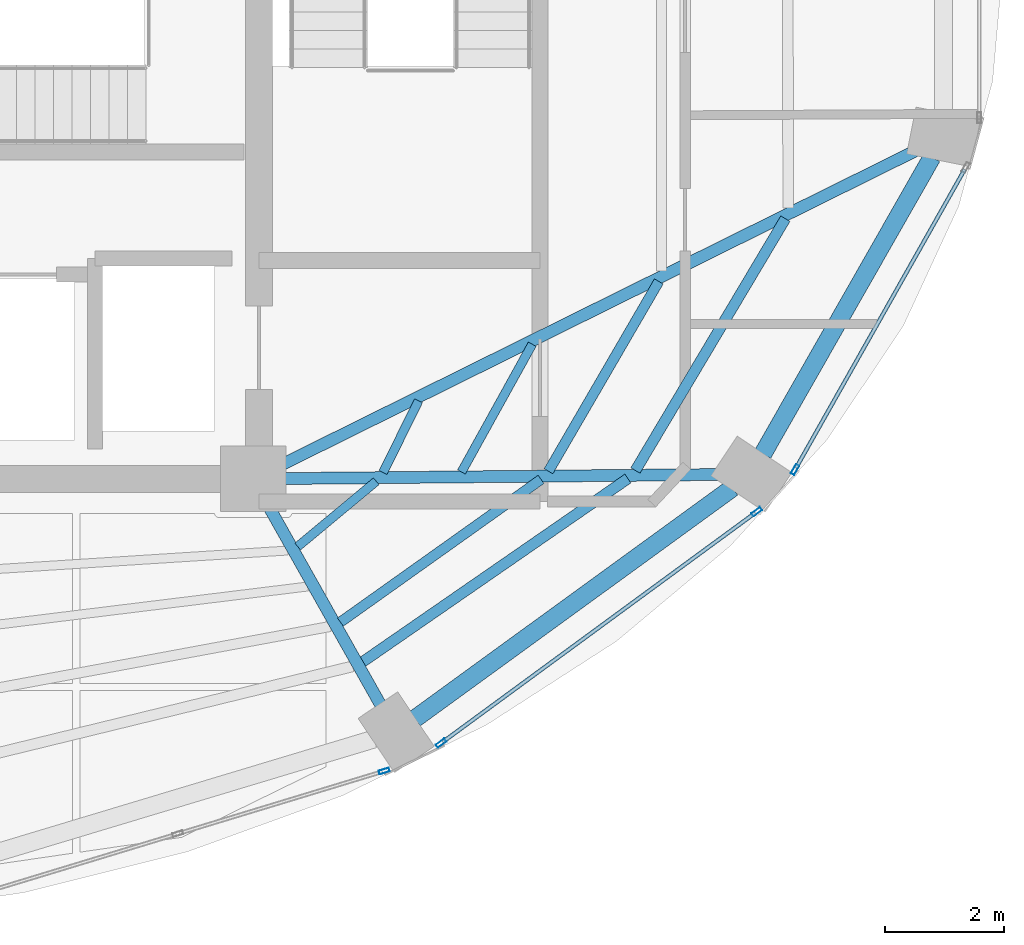
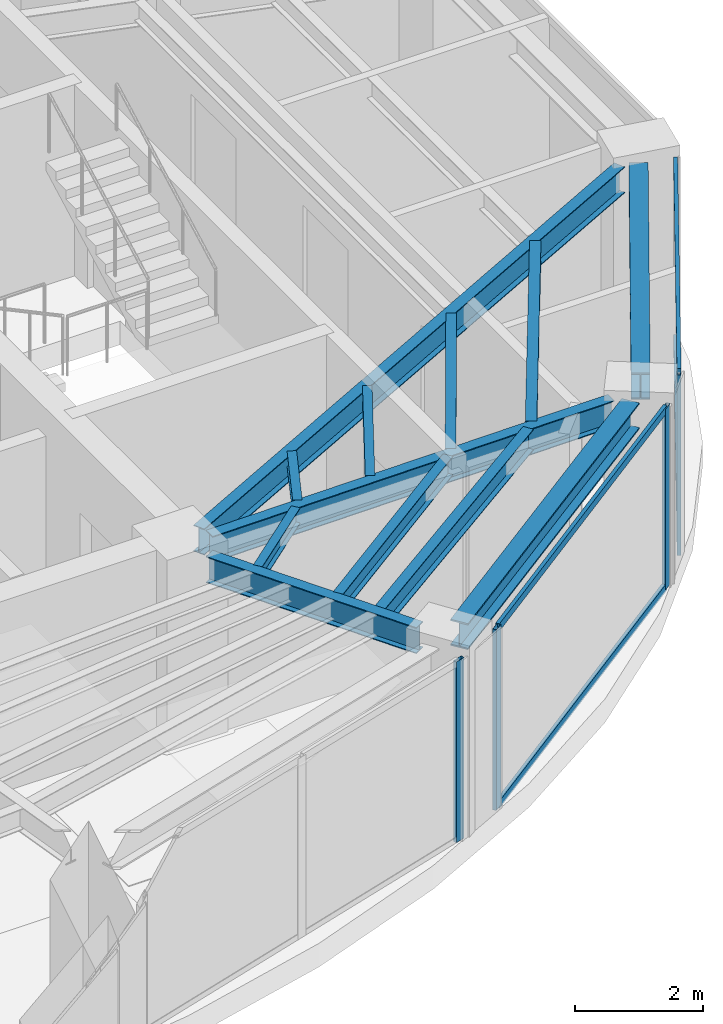
# One storey, part 4 of 15: 12 beams, 8 members, 3 elements without a shape of their own.
"""IFC4 building model written with IfcOpenShell, lengths in metres."""

import ifcopenshell
import ifcopenshell.guid

model = None  # the IFC model being written
_history = None  # IfcOwnerHistory: only IFC2X3 demands one
_inside = {}  # id of a spatial element -> (the spatial element, [elements in it])
_under = {}  # id of a project, library or spatial element -> (it, [spatial elements below it])
_declared = {}  # id of a project -> (the project, [libraries it declares])
_typed = {}  # id of a type object -> (the type object, [elements of that type])
_made_of = {}  # id of a material, layer set ... -> (it, [elements and type objects made of it])


def new_model(schema):
    """Start an empty IFC model of exactly this schema.

    Asked for "IFC4X3", IfcOpenShell would pick the latest addendum, in which some entities
    have other attributes; the version numbers below select the first issue.
    IFC2X3 requires an IfcOwnerHistory on every rooted entity: one is made here for all.
    """
    global model, _history
    if schema == "IFC4X3":
        model = ifcopenshell.file(schema_version=(4, 3, 0, 0))
    else:
        model = ifcopenshell.file(schema=schema)
    _inside.clear()
    _under.clear()
    _declared.clear()
    _typed.clear()
    _made_of.clear()
    _history = None
    if model.schema == "IFC2X3":
        org = make("IfcOrganization", Name="unknown")
        user = make(
            "IfcPersonAndOrganization",
            ThePerson=make("IfcPerson", FamilyName="unknown"),
            TheOrganization=org,
        )
        app = make(
            "IfcApplication",
            ApplicationDeveloper=org,
            Version="unknown",
            ApplicationFullName="unknown",
            ApplicationIdentifier="unknown",
        )
        _history = make(
            "IfcOwnerHistory",
            OwningUser=user,
            OwningApplication=app,
            ChangeAction="ADDED",
            CreationDate=0,
        )
    return model


def make(cls, **values):
    """One entity of the class cls with the attributes given. An attribute that is None is left unset."""
    return model.create_entity(
        cls, **{name: value for name, value in values.items() if value is not None}
    )


def rooted(cls, **values):
    """An entity with a GlobalId (a new one), such as an element, a storey or a relation."""
    return make(cls, GlobalId=ifcopenshell.guid.new(), OwnerHistory=_history, **values)


def si_unit(unit_type, name, prefix=None):
    """IfcSIUnit, for example si_unit("LENGTHUNIT", "METRE", prefix="MILLI")."""
    return make("IfcSIUnit", UnitType=unit_type, Prefix=prefix, Name=name)


def assignment(units):
    """IfcUnitAssignment: the units of a project."""
    return None if units is None else make("IfcUnitAssignment", Units=units)


def point(xyz):
    """IfcCartesianPoint."""
    return None if xyz is None else make("IfcCartesianPoint", Coordinates=xyz)


def direction(xyz):
    """IfcDirection."""
    return None if xyz is None else make("IfcDirection", DirectionRatios=xyz)


def frame(location, z_axis=None, x_axis=None):
    """IfcAxis2Placement3D, a coordinate frame: its origin and axes. An axis left out is left unset."""
    return make(
        "IfcAxis2Placement3D",
        Location=point(location),
        Axis=direction(z_axis),
        RefDirection=direction(x_axis),
    )


def frame_2d(location, x_axis=None):
    """IfcAxis2Placement2D, a coordinate frame in the plane: its origin and x axis."""
    return make(
        "IfcAxis2Placement2D", Location=point(location), RefDirection=direction(x_axis)
    )


def origin():
    """The frame at (0, 0, 0) with its axes left unset."""
    return frame((0.0, 0.0, 0.0))


def origin_2d():
    """The frame at (0, 0) in the plane with its x axis left unset."""
    return frame_2d((0.0, 0.0))


def place(relative_to, where):
    """IfcLocalPlacement: puts the frame where relative to a parent placement (None: the world)."""
    return make(
        "IfcLocalPlacement", PlacementRelTo=relative_to, RelativePlacement=where
    )


def context(
    kind, dimensions, precision=None, world=None, true_north=None, identifier=None
):
    """IfcGeometricRepresentationContext, for example the 3D "Model" context."""
    return make(
        "IfcGeometricRepresentationContext",
        ContextIdentifier=identifier,
        ContextType=kind,
        CoordinateSpaceDimension=dimensions,
        Precision=precision,
        WorldCoordinateSystem=world,
        TrueNorth=true_north,
    )


def subcontext(parent, identifier, kind, view, scale=None):
    """IfcGeometricRepresentationSubContext, for example "Body" below "Model"."""
    return make(
        "IfcGeometricRepresentationSubContext",
        ContextIdentifier=identifier,
        ContextType=kind,
        ParentContext=parent,
        TargetScale=scale,
        TargetView=view,
    )


def project(units=None, contexts=None):
    """IfcProject with its units and contexts."""
    return rooted(
        "IfcProject",
        Name="project",
        RepresentationContexts=contexts,
        UnitsInContext=assignment(units),
    )


def spatial(cls, under=None, at=None, **own):
    """A site, building, storey or space (cls), placed at a placement, below another one or the project."""
    s = rooted(cls, ObjectPlacement=at, **own)
    if under is not None:
        _under.setdefault(under.id(), (under, []))[1].append(s)
    return s


def profile(cls, at=None, kind="AREA", **sizes):
    """A parametric profile (cls). Its sizes go by their IFC names, for example OverallWidth=200.0."""
    return make(cls, ProfileType=kind, Position=at, **sizes)


def hollow_rectangle(**sizes):
    """IfcRectangleHollowProfileDef."""
    return profile("IfcRectangleHollowProfileDef", **sizes)


def i_section(**sizes):
    """IfcIShapeProfileDef."""
    return profile("IfcIShapeProfileDef", **sizes)


def extrude(swept, where, along, depth):
    """IfcExtrudedAreaSolid: the profile swept, set in the frame where, extruded along a direction by depth."""
    return make(
        "IfcExtrudedAreaSolid",
        SweptArea=swept,
        Position=where,
        ExtrudedDirection=direction(along),
        Depth=depth,
    )


def shape(context_of_items, identifier, shape_type, items):
    """IfcShapeRepresentation: the items that make up one representation, for example the "Body"."""
    return make(
        "IfcShapeRepresentation",
        ContextOfItems=context_of_items,
        RepresentationIdentifier=identifier,
        RepresentationType=shape_type,
        Items=items,
    )


def material(Name=None, Category=None):
    """IfcMaterial."""
    return make("IfcMaterial", Name=Name, Category=Category)


def layer(
    of_material, thickness, ventilated=None, Name=None, Category=None, Priority=None
):
    """IfcMaterialLayer: one layer of a wall or slab, of a material (None: an air gap)."""
    return make(
        "IfcMaterialLayer",
        Material=of_material,
        LayerThickness=thickness,
        IsVentilated=ventilated,
        Name=Name,
        Category=Category,
        Priority=Priority,
    )


def layer_set(layers, Name=None):
    """IfcMaterialLayerSet."""
    return make("IfcMaterialLayerSet", MaterialLayers=layers, LayerSetName=Name)


def material_profile(
    of_material, cross_section, Name=None, Category=None, Priority=None
):
    """IfcMaterialProfile: a cross section and its material."""
    return make(
        "IfcMaterialProfile",
        Name=Name,
        Material=of_material,
        Profile=cross_section,
        Priority=Priority,
        Category=Category,
    )


def profile_set(profiles, Name=None, composite=None):
    """IfcMaterialProfileSet."""
    return make(
        "IfcMaterialProfileSet",
        Name=Name,
        MaterialProfiles=profiles,
        CompositeProfile=composite,
    )


def made_of(thing, what):
    """Note that an element or type object is made of a material, layer set ...; save() writes the relation."""
    if what is not None:
        _made_of.setdefault(what.id(), (what, []))[1].append(thing)
    return thing


def type_object(cls, material=None, **own):
    """A type object (cls), such as IfcWallType, which elements share."""
    return made_of(rooted(cls, **own), material)


def element(
    cls,
    number,
    at=None,
    inside=None,
    cuts=None,
    type_object=None,
    material=None,
    context=None,
    identifier="Body",
    shape_type=None,
    held_by="IfcProductDefinitionShape",
    body=None,
    shapes=None,
    **own,
):
    """One element of the class cls, such as IfcWall. Its Tag is "e" and its number.

    at: its placement. inside: the storey or other place that contains it. cuts: it is an
    opening in that element (IfcRelVoidsElement). A single representation is given by context,
    identifier, shape_type and body (its items); several are given by shapes. held_by: the class
    of the entity that holds the representations. save() writes the other relations.
    """
    e = rooted(cls, Tag="e%d" % number, ObjectPlacement=at, **own)
    if body is not None:
        shapes = [shape(context, identifier, shape_type, body)]
    if shapes is not None:
        e.Representation = make(held_by, Representations=shapes)
    if inside is not None:
        _inside.setdefault(inside.id(), (inside, []))[1].append(e)
    if cuts is not None:
        rooted(
            "IfcRelVoidsElement", RelatingBuildingElement=cuts, RelatedOpeningElement=e
        )
    if type_object is not None:
        _typed.setdefault(type_object.id(), (type_object, []))[1].append(e)
    return made_of(e, material)


def aggregate(whole, parts):
    """IfcRelAggregates: a whole, such as a stair, and the parts it consists of."""
    return rooted("IfcRelAggregates", RelatingObject=whole, RelatedObjects=parts)


def save(model, path):
    """Write the relations noted so far, then the file.

    IfcRelAggregates (storeys below a building ...), IfcRelContainedInSpatialStructure (elements
    in a storey), IfcRelDefinesByType, IfcRelAssociatesMaterial and IfcRelDeclares: one each for
    every whole, place, type object, material and project.
    """
    for whole, parts in _under.values():
        aggregate(whole, parts)
    for where, things in _inside.values():
        rooted(
            "IfcRelContainedInSpatialStructure",
            RelatedElements=things,
            RelatingStructure=where,
        )
    for kind, things in _typed.values():
        rooted("IfcRelDefinesByType", RelatedObjects=things, RelatingType=kind)
    for what, things in _made_of.values():
        rooted("IfcRelAssociatesMaterial", RelatedObjects=things, RelatingMaterial=what)
    for by, libraries in _declared.values():
        rooted("IfcRelDeclares", RelatingContext=by, RelatedDefinitions=libraries)
    model.write(path)


model = new_model("IFC4")

# Units and contexts
model_context = context("Model", 3, precision=1e-05, world=origin(), true_north=direction((0.0, 1.0)))
body_context = subcontext(model_context, "Body", "Model", "MODEL_VIEW")
ifc_project = project(units=[si_unit("LENGTHUNIT", "METRE"), si_unit("AREAUNIT", "SQUARE_METRE"), si_unit("VOLUMEUNIT", "CUBIC_METRE"), si_unit("PLANEANGLEUNIT", "RADIAN"), si_unit("MASSUNIT", "GRAM", prefix="KILO")], contexts=[model_context])

# Site, building, storey
site_placement = place(None, origin())
site = spatial("IfcSite", under=ifc_project, at=site_placement, CompositionType="ELEMENT")
building_placement = place(site_placement, origin())
building = spatial("IfcBuilding", under=site, at=building_placement, Name="Lazwardi Medical Tower", CompositionType="ELEMENT")
storey_placement = place(building_placement, frame((0.0, 0.0, 269.615966796875)))
storey = spatial("IfcBuildingStorey", under=building, at=storey_placement, Name="L70", CompositionType="ELEMENT", Elevation=269.615966796875)

# Beams
ifc_material_1 = material(Name="Steel S355", Category="steel")
ifc_material_profile_1 = material_profile(ifc_material_1, i_section(OverallWidth=0.300048828125, OverallDepth=0.5, WebThickness=0.014404296875, FlangeThickness=0.028076171875, at=origin_2d()), Name="HEB 500")
ifc_profile_set_1 = profile_set([ifc_material_profile_1], Name="Steel S355")
beam_type_1 = type_object("IfcBeamType", Name="BM-RB-Z4", PredefinedType="BEAM", material=ifc_profile_set_1)
beam_1_placement = place(storey_placement, frame((48.31591796875, 16.375244140625, 3.197998046875), z_axis=(0.808889916254, 0.587960120571, 0.0), x_axis=(-0.587960120571, 0.808889916254, 0.0)))
element("IfcBeam", 1, at=beam_1_placement, inside=storey, type_object=beam_type_1, Name="Ring beam RB-05 B02 L70", PredefinedType="BEAM", context=body_context, shape_type="SweptSolid", body=[
    extrude(i_section(OverallWidth=0.300048828125, OverallDepth=0.5, WebThickness=0.014404296875, FlangeThickness=0.028076171875, at=origin_2d()), origin(), (0.0, 0.0, 1.0), 6.587158203125),
])
beam_2_placement = place(storey_placement, frame((54.15283203125, 20.81640625, 3.197998046875), z_axis=(0.495125273299, 0.868821594886, 0.0), x_axis=(-0.868821594886, 0.495125273299, 0.0)))
element("IfcBeam", 2, at=beam_2_placement, inside=storey, type_object=beam_type_1, Name="Ring beam RB-05 B03 L70", PredefinedType="BEAM", context=body_context, shape_type="SweptSolid", body=[
    extrude(i_section(OverallWidth=0.300048828125, OverallDepth=0.5, WebThickness=0.014404296875, FlangeThickness=0.028076171875, at=origin_2d()), origin(), (0.0, 0.0, 1.0), 5.734130859375),
])
ifc_material_profile_2 = material_profile(ifc_material_1, i_section(OverallWidth=0.199951171875, OverallDepth=0.5, WebThickness=0.01025390625, FlangeThickness=0.01611328125, at=origin_2d()), Name="IPE 500")
ifc_profile_set_2 = profile_set([ifc_material_profile_2], Name="Steel S355")
beam_type_2 = type_object("IfcBeamType", Name="BM-RG-W3", PredefinedType="BEAM", material=ifc_profile_set_2)
beam_3_placement = place(storey_placement, frame((47.7373046875, 16.61181640625, 3.197998046875), z_axis=(-0.491403349237, 0.870932114667, 0.0), x_axis=(-0.870932114667, -0.491403349237, 0.0)))
element("IfcBeam", 3, at=beam_3_placement, inside=storey, type_object=beam_type_2, Name="Radial girder RG-04 R02 L70", PredefinedType="BEAM", context=body_context, shape_type="SweptSolid", body=[
    extrude(i_section(OverallWidth=0.199951171875, OverallDepth=0.5, WebThickness=0.01025390625, FlangeThickness=0.01611328125, at=origin_2d()), origin(), (0.0, 0.0, 1.0), 3.814697265625),
])
beam_4_placement = place(storey_placement, frame((53.4248046875, 20.472412109375, 3.197998046875), z_axis=(-0.999957282107, -0.009243049327, 0.0), x_axis=(0.009243049327, -0.999957282107, 0.0)))
element("IfcBeam", 4, at=beam_4_placement, inside=storey, type_object=beam_type_2, Name="Radial girder RG-04 R03 L70", PredefinedType="BEAM", context=body_context, shape_type="SweptSolid", body=[
    extrude(i_section(OverallWidth=0.199951171875, OverallDepth=0.5, WebThickness=0.01025390625, FlangeThickness=0.01611328125, at=origin_2d()), origin(), (0.0, 0.0, 1.0), 7.2900390625),
])
beam_5_placement = place(storey_placement, frame((56.70556640625, 25.899658203125, 3.197998046875), z_axis=(-0.896137723356, -0.443776048, 0.0), x_axis=(0.443776048, -0.896137723356, 0.0)))
element("IfcBeam", 5, at=beam_5_placement, inside=storey, type_object=beam_type_2, Name="Radial girder RG-04 R04 L70", PredefinedType="BEAM", context=body_context, shape_type="SweptSolid", body=[
    extrude(i_section(OverallWidth=0.199951171875, OverallDepth=0.5, WebThickness=0.01025390625, FlangeThickness=0.01611328125, at=origin_2d()), origin(), (0.0, 0.0, 1.0), 11.85791015625),
])
ifc_material_profile_3 = material_profile(ifc_material_1, i_section(OverallWidth=0.179931640625, OverallDepth=0.39990234375, WebThickness=0.008544921875, FlangeThickness=0.013427734375, at=origin_2d()), Name="IPE 400")
ifc_profile_set_3 = profile_set([ifc_material_profile_3], Name="Steel S355")
beam_type_3 = type_object("IfcBeamType", Name="BM-SJ-01", PredefinedType="JOIST", material=ifc_profile_set_3)
beam_6_placement = place(storey_placement, frame((47.440673828125, 17.330322265625, 3.248046875), z_axis=(0.822596712765, 0.568625226443, 0.0), x_axis=(-0.568625226443, 0.822596712765, 0.0)))
element("IfcBeam", 6, at=beam_6_placement, inside=storey, type_object=beam_type_3, Name="Secondary joist SJ-01 R1 B02 L70", PredefinedType="JOIST", context=body_context, shape_type="SweptSolid", body=[
    extrude(i_section(OverallWidth=0.179931640625, OverallDepth=0.39990234375, WebThickness=0.008544921875, FlangeThickness=0.013427734375, at=origin_2d()), origin(), (0.0, 0.0, 1.0), 5.4072265625),
])
beam_7_placement = place(storey_placement, frame((52.015380859375, 20.54052734375, 3.248046875), z_axis=(0.511696806688, 0.859166094551, 0.0), x_axis=(-0.859166094551, 0.511696806688, 0.0)))
element("IfcBeam", 7, at=beam_7_placement, inside=storey, type_object=beam_type_3, Name="Secondary joist SJ-01 R1 B03 L70", PredefinedType="JOIST", context=body_context, shape_type="SweptSolid", body=[
    extrude(i_section(OverallWidth=0.179931640625, OverallDepth=0.39990234375, WebThickness=0.008544921875, FlangeThickness=0.013427734375, at=origin_2d()), origin(), (0.0, 0.0, 1.0), 4.917724609375),
])
ifc_material_profile_4 = material_profile(ifc_material_1, i_section(OverallWidth=0.169921875, OverallDepth=0.360107421875, WebThickness=0.008056640625, FlangeThickness=0.0126953125, at=origin_2d()), Name="IPE 360")
ifc_profile_set_4 = profile_set([ifc_material_profile_4], Name="Steel S355")
beam_type_4 = type_object("IfcBeamType", Name="BM-SJ-02", PredefinedType="JOIST", material=ifc_profile_set_4)
beam_8_placement = place(storey_placement, frame((47.06494140625, 17.995849609375, 3.26806640625), z_axis=(0.814885852348, 0.579621469274, 0.0), x_axis=(-0.579621469274, 0.814885852348, 0.0)))
element("IfcBeam", 8, at=beam_8_placement, inside=storey, type_object=beam_type_4, Name="Secondary joist SJ-02 R2 B02 L70", PredefinedType="JOIST", context=body_context, shape_type="SweptSolid", body=[
    extrude(i_section(OverallWidth=0.169921875, OverallDepth=0.360107421875, WebThickness=0.008056640625, FlangeThickness=0.0126953125, at=origin_2d()), origin(), (0.0, 0.0, 1.0), 4.131103515625),
])
beam_9_placement = place(storey_placement, frame((50.556640625, 20.527587890625, 3.26806640625), z_axis=(0.502428077017, 0.864619007092, 0.0), x_axis=(-0.864619007092, 0.502428077017, 0.0)))
element("IfcBeam", 9, at=beam_9_placement, inside=storey, type_object=beam_type_4, Name="Secondary joist SJ-02 R2 B03 L70", PredefinedType="JOIST", context=body_context, shape_type="SweptSolid", body=[
    extrude(i_section(OverallWidth=0.169921875, OverallDepth=0.360107421875, WebThickness=0.008056640625, FlangeThickness=0.0126953125, at=origin_2d()), origin(), (0.0, 0.0, 1.0), 3.683837890625),
])
ifc_material_profile_5 = material_profile(ifc_material_1, i_section(OverallWidth=0.14990234375, OverallDepth=0.300048828125, WebThickness=0.007080078125, FlangeThickness=0.0107421875, at=origin_2d()), Name="IPE 300")
ifc_profile_set_5 = profile_set([ifc_material_profile_5], Name="Steel S355")
beam_type_5 = type_object("IfcBeamType", Name="BM-SJ-03", PredefinedType="JOIST", material=ifc_profile_set_5)
beam_10_placement = place(storey_placement, frame((49.096923828125, 20.51513671875, 3.298095703125), z_axis=(0.484356732643, 0.874870593598, 0.0), x_axis=(-0.874870593598, 0.484356732643, 0.0)))
element("IfcBeam", 10, at=beam_10_placement, inside=storey, type_object=beam_type_5, Name="Secondary joist SJ-03 R3 B03 L70", PredefinedType="JOIST", context=body_context, shape_type="SweptSolid", body=[
    extrude(i_section(OverallWidth=0.14990234375, OverallDepth=0.300048828125, WebThickness=0.007080078125, FlangeThickness=0.0107421875, at=origin_2d()), origin(), (0.0, 0.0, 1.0), 2.45068359375),
])
beam_11_placement = place(storey_placement, frame((46.348388671875, 19.263916015625, 3.298095703125), z_axis=(0.768968334056, 0.639286869269, 0.0), x_axis=(-0.639286869269, 0.768968334056, 0.0)))
element("IfcBeam", 11, at=beam_11_placement, inside=storey, type_object=beam_type_5, Name="Secondary joist SJ-03 R4 B02 L70", PredefinedType="JOIST", context=body_context, shape_type="SweptSolid", body=[
    extrude(i_section(OverallWidth=0.14990234375, OverallDepth=0.300048828125, WebThickness=0.007080078125, FlangeThickness=0.0107421875, at=origin_2d()), origin(), (0.0, 0.0, 1.0), 1.713134765625),
])
beam_12_placement = place(storey_placement, frame((47.78076171875, 20.5048828125, 3.298095703125), z_axis=(0.442264453687, 0.896884693261, 0.0), x_axis=(-0.896884693261, 0.442264453687, 0.0)))
element("IfcBeam", 12, at=beam_12_placement, inside=storey, type_object=beam_type_5, Name="Secondary joist SJ-03 R4 B03 L70", PredefinedType="JOIST", context=body_context, shape_type="SweptSolid", body=[
    extrude(i_section(OverallWidth=0.14990234375, OverallDepth=0.300048828125, WebThickness=0.007080078125, FlangeThickness=0.0107421875, at=origin_2d()), origin(), (0.0, 0.0, 1.0), 1.343505859375),
])

# Curtain wall, member
ifc_material_2 = material(Name="Anodised bronze aluminium and solar control glazing", Category="aluminium")
ifc_layer = layer(ifc_material_2, 0.18994140625)
ifc_layer_set = layer_set([ifc_layer], Name="Anodised bronze aluminium and solar control glazing")
curtain_wall_type = type_object("IfcCurtainWallType", Name="CW-SYS-04", PredefinedType="NOTDEFINED", material=ifc_layer_set)
curtain_wall_1_placement = place(storey_placement, origin())
curtain_wall_1 = element("IfcCurtainWall", 13, at=curtain_wall_1_placement, inside=storey, type_object=curtain_wall_type, Name="L70 Unitised bronze curtain wall CW-04", PredefinedType="NOTDEFINED")
ifc_material_3 = material(Name="Anodised bronze aluminium", Category="aluminium")
ifc_material_profile_6 = material_profile(ifc_material_3, hollow_rectangle(XDim=0.06494140625, YDim=0.179931640625, WallThickness=0.00390625, at=origin_2d()), Name="ALU-MULLION 180x65x4")
ifc_profile_set_6 = profile_set([ifc_material_profile_6], Name="Anodised bronze aluminium")
member_type_1 = type_object("IfcMemberType", Name="CW-MUL-03", PredefinedType="MULLION", material=ifc_profile_set_6)
member_1_placement = place(storey_placement, frame((47.7998046875, 15.496337890625, 0.0), z_axis=(0.0, 0.0, 1.0), x_axis=(-0.290581889515, 0.956850126972, 0.0)))
member_1 = element("IfcMember", 14, at=member_1_placement, type_object=member_type_1, Name="CW-04 mullion 3", PredefinedType="MULLION", context=body_context, shape_type="SweptSolid", body=[
    extrude(hollow_rectangle(XDim=0.06494140625, YDim=0.179931640625, WallThickness=0.00390625, at=origin_2d()), origin(), (0.0, 0.0, 1.0), 3.447998046875),
])
aggregate(curtain_wall_1, [member_1])

# Curtain wall, members
curtain_wall_2_placement = place(storey_placement, origin())
curtain_wall_2 = element("IfcCurtainWall", 15, at=curtain_wall_2_placement, inside=storey, type_object=curtain_wall_type, Name="L70 Unitised bronze curtain wall CW-04", PredefinedType="NOTDEFINED")
member_2_placement = place(storey_placement, frame((48.75537109375, 15.965087890625, 0.0), z_axis=(0.0, 0.0, 1.0), x_axis=(-0.591268230971, 0.806474971121, 0.0)))
member_2 = element("IfcMember", 16, at=member_2_placement, type_object=member_type_1, Name="CW-04 mullion 1", PredefinedType="MULLION", context=body_context, shape_type="SweptSolid", body=[
    extrude(hollow_rectangle(XDim=0.06494140625, YDim=0.179931640625, WallThickness=0.00390625, at=origin_2d()), origin(), (0.0, 0.0, 1.0), 3.447998046875),
])
member_3_placement = place(storey_placement, frame((54.052001953125, 19.848388671875, 0.0), z_axis=(0.0, 0.0, 1.0), x_axis=(-0.591268230971, 0.806474971121, 0.0)))
member_3 = element("IfcMember", 17, at=member_3_placement, type_object=member_type_1, Name="CW-04 mullion 2", PredefinedType="MULLION", context=body_context, shape_type="SweptSolid", body=[
    extrude(hollow_rectangle(XDim=0.06494140625, YDim=0.179931640625, WallThickness=0.00390625, at=origin_2d()), origin(), (0.0, 0.0, 1.0), 3.447998046875),
])

# Curtain wall, member
curtain_wall_3_placement = place(storey_placement, origin())
curtain_wall_3 = element("IfcCurtainWall", 18, at=curtain_wall_3_placement, inside=storey, type_object=curtain_wall_type, Name="L70 Unitised bronze curtain wall CW-04", PredefinedType="NOTDEFINED")
member_4_placement = place(storey_placement, frame((54.6943359375, 20.554443359375, 0.0), z_axis=(0.0, 0.0, 1.0), x_axis=(-0.870651436011, 0.491900474661, 0.0)))
member_4 = element("IfcMember", 19, at=member_4_placement, type_object=member_type_1, Name="CW-04 mullion 1", PredefinedType="MULLION", context=body_context, shape_type="SweptSolid", body=[
    extrude(hollow_rectangle(XDim=0.06494140625, YDim=0.179931640625, WallThickness=0.00390625, at=origin_2d()), origin(), (0.0, 0.0, 1.0), 3.447998046875),
])

# Member
ifc_material_profile_7 = material_profile(ifc_material_3, hollow_rectangle(XDim=0.06494140625, YDim=0.139892578125, WallThickness=0.00341796875, at=origin_2d()), Name="ALU-TRANSOM 140x65x3.5")
ifc_profile_set_7 = profile_set([ifc_material_profile_7], Name="Anodised bronze aluminium")
member_type_2 = type_object("IfcMemberType", Name="CW-TRN-03", PredefinedType="USERDEFINED", material=ifc_profile_set_7)
member_5_placement = place(storey_placement, frame((48.781494140625, 15.984375, 0.032470703125), z_axis=(0.80648973359, 0.591248094808, 0.0), x_axis=(-0.591248094808, 0.80648973359, 0.0)))
member_5 = element("IfcMember", 20, at=member_5_placement, type_object=member_type_2, Name="CW-04 transom 1.1", ObjectType="TRANSOM", PredefinedType="USERDEFINED", context=body_context, shape_type="SweptSolid", body=[
    extrude(hollow_rectangle(XDim=0.06494140625, YDim=0.139892578125, WallThickness=0.00341796875, at=origin_2d()), origin(), (0.0, 0.0, 1.0), 6.502685546875),
])

member_6_placement = place(storey_placement, frame((48.781494140625, 15.984375, 3.41552734375), z_axis=(0.80648973359, 0.591248094808, 0.0), x_axis=(-0.591248094808, 0.80648973359, 0.0)))
member_6 = element("IfcMember", 21, at=member_6_placement, type_object=member_type_2, Name="CW-04 transom 1.2", ObjectType="TRANSOM", PredefinedType="USERDEFINED", context=body_context, shape_type="SweptSolid", body=[
    extrude(hollow_rectangle(XDim=0.06494140625, YDim=0.139892578125, WallThickness=0.00341796875, at=origin_2d()), origin(), (0.0, 0.0, 1.0), 6.502685546875),
])

aggregate(curtain_wall_2, [member_2, member_3, member_5, member_6])

member_7_placement = place(storey_placement, frame((54.71044921875, 20.582763671875, 0.032470703125), z_axis=(0.491879719484, 0.87066316194, 0.0), x_axis=(-0.87066316194, 0.491879719484, 0.0)))
member_7 = element("IfcMember", 22, at=member_7_placement, type_object=member_type_2, Name="CW-04 transom 1.1", ObjectType="TRANSOM", PredefinedType="USERDEFINED", context=body_context, shape_type="SweptSolid", body=[
    extrude(hollow_rectangle(XDim=0.06494140625, YDim=0.139892578125, WallThickness=0.00341796875, at=origin_2d()), origin(), (0.0, 0.0, 1.0), 5.755126953125),
])

member_8_placement = place(storey_placement, frame((54.71044921875, 20.582763671875, 3.41552734375), z_axis=(0.491879719484, 0.87066316194, 0.0), x_axis=(-0.87066316194, 0.491879719484, 0.0)))
member_8 = element("IfcMember", 23, at=member_8_placement, type_object=member_type_2, Name="CW-04 transom 1.2", ObjectType="TRANSOM", PredefinedType="USERDEFINED", context=body_context, shape_type="SweptSolid", body=[
    extrude(hollow_rectangle(XDim=0.06494140625, YDim=0.139892578125, WallThickness=0.00341796875, at=origin_2d()), origin(), (0.0, 0.0, 1.0), 5.755126953125),
])

aggregate(curtain_wall_3, [member_4, member_7, member_8])

save(model, "model.ifc")
